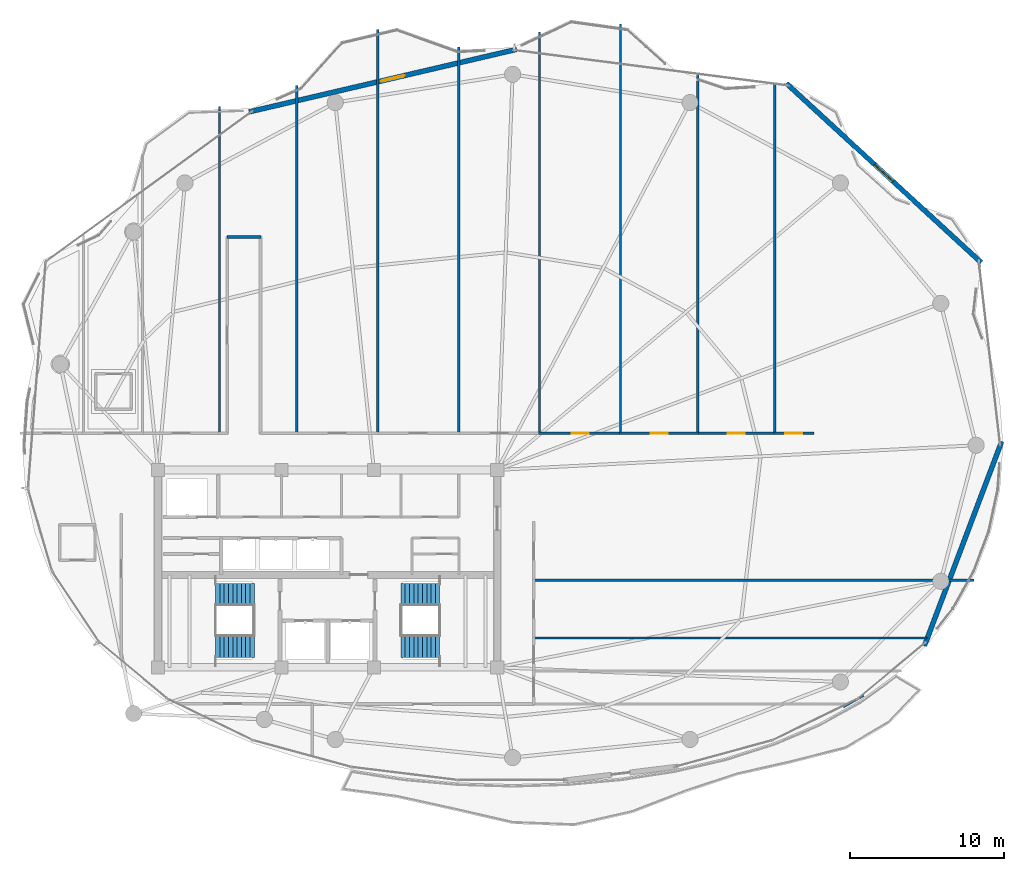
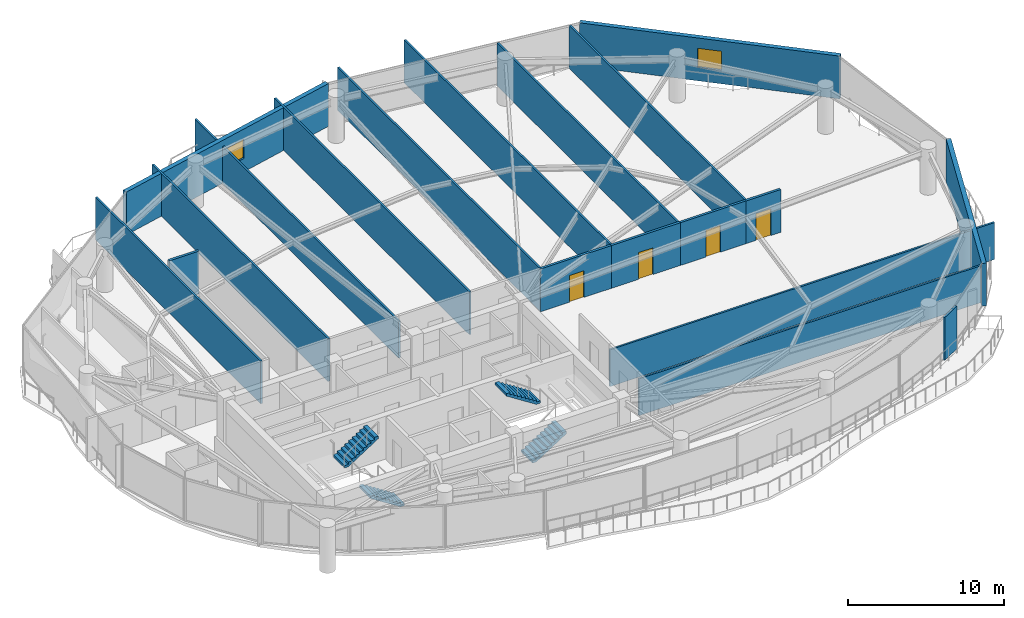
# One storey, part 27 of 31: 19 walls, 4 doors, 4 stair flights, 2 windows, 6 openings, 2 elements without a shape of their own.
"""IFC4 building model written with IfcOpenShell, lengths in metres."""

from ifc_helpers import new_model, si_unit, direction, frame, frame_2d, origin, place, context, subcontext, project, spatial, polyline, rectangle, outline, extrude, material, layer, layer_set, type_object, element, fill, aggregate, save


model = new_model("IFC4")

# Units and contexts
model_context = context("Model", 3, precision=1e-05, world=origin(), true_north=direction((0.0, 1.0)))
body_context = subcontext(model_context, "Body", "Model", "MODEL_VIEW")
ifc_project = project(units=[si_unit("LENGTHUNIT", "METRE"), si_unit("AREAUNIT", "SQUARE_METRE"), si_unit("VOLUMEUNIT", "CUBIC_METRE"), si_unit("PLANEANGLEUNIT", "RADIAN"), si_unit("MASSUNIT", "GRAM", prefix="KILO")], contexts=[model_context])

# Site, building, storey
site_placement = place(None, origin())
site = spatial("IfcSite", under=ifc_project, at=site_placement, CompositionType="ELEMENT")
building_placement = place(site_placement, origin())
building = spatial("IfcBuilding", under=site, at=building_placement, Name="Kazevale Care Tower and Concert Hall", CompositionType="ELEMENT")
storey_placement = place(building_placement, frame((0.0, 0.0, 202.800048828125)))
storey = spatial("IfcBuildingStorey", under=building, at=storey_placement, Name="L53", CompositionType="ELEMENT", Elevation=202.800048828125)

# Walls
ifc_material_1 = material(Name="Acoustic Gypsum on Steel Stud", Category="steel")
ifc_layer_1 = layer(ifc_material_1, 0.139892578125)
ifc_layer_set_1 = layer_set([ifc_layer_1], Name="Acoustic Gypsum on Steel Stud")
wall_type_1 = type_object("IfcWallType", Name="Acoustic Care & Suite Partition 140", PredefinedType="PARTITIONING", material=ifc_layer_set_1)
wall_1_placement = place(storey_placement, frame((26.0, 59.969970703125, 0.0), z_axis=(0.0, 0.0, 1.0), x_axis=(0.0, -1.0, 0.0)))
element("IfcWall", 1, at=wall_1_placement, inside=storey, type_object=wall_type_1, Name="wall:L53:auto_025", PredefinedType="PARTITIONING", context=body_context, shape_type="SweptSolid", body=[
    extrude(rectangle(XDim=21.224853515625, YDim=0.139892578125, at=frame_2d((10.6123046875, 0.0))), origin(), (0.0, 0.0, 1.0), 3.35986328125),
])
wall_2_placement = place(storey_placement, frame((31.0, 61.3369140625, 0.0), z_axis=(0.0, 0.0, 1.0), x_axis=(0.0, -1.0, 0.0)))
element("IfcWall", 2, at=wall_2_placement, inside=storey, type_object=wall_type_1, Name="wall:L53:auto_026", PredefinedType="PARTITIONING", context=body_context, shape_type="SweptSolid", body=[
    extrude(rectangle(XDim=22.591796875, YDim=0.139892578125, at=frame_2d((11.2958984375, 0.0))), origin(), (0.0, 0.0, 1.0), 3.35986328125),
])
wall_3_placement = place(storey_placement, frame((36.25, 64.9560546875, 0.0), z_axis=(0.0, 0.0, 1.0), x_axis=(0.0, -1.0, 0.0)))
element("IfcWall", 3, at=wall_3_placement, inside=storey, type_object=wall_type_1, Name="wall:L53:auto_027", PredefinedType="PARTITIONING", context=body_context, shape_type="SweptSolid", body=[
    extrude(rectangle(XDim=26.2109375, YDim=0.139892578125, at=frame_2d((13.10546875, 0.0))), origin(), (0.0, 0.0, 1.0), 2.889892578125),
])
wall_4_placement = place(storey_placement, frame((41.5, 63.840087890625, 0.0), z_axis=(0.0, 0.0, 1.0), x_axis=(0.0, -1.0, 0.0)))
element("IfcWall", 4, at=wall_4_placement, inside=storey, type_object=wall_type_1, Name="wall:L53:auto_028", PredefinedType="PARTITIONING", context=body_context, shape_type="SweptSolid", body=[
    extrude(rectangle(XDim=25.094970703125, YDim=0.139892578125, at=frame_2d((12.54736328125, 0.0))), origin(), (0.0, 0.0, 1.0), 3.35986328125),
])
wall_5_placement = place(storey_placement, frame((46.75, 64.802978515625, 0.0), z_axis=(0.0, 0.0, 1.0), x_axis=(0.0, -1.0, 0.0)))
element("IfcWall", 5, at=wall_5_placement, inside=storey, type_object=wall_type_1, Name="wall:L53:auto_029", PredefinedType="PARTITIONING", context=body_context, shape_type="SweptSolid", body=[
    extrude(rectangle(XDim=26.057861328125, YDim=0.139892578125, at=frame_2d((13.02880859375, 0.0))), origin(), (0.0, 0.0, 1.0), 3.35986328125),
])
wall_6_placement = place(storey_placement, frame((52.0, 65.323974609375, 0.0), z_axis=(0.0, 0.0, 1.0), x_axis=(0.0, -1.0, 0.0)))
element("IfcWall", 6, at=wall_6_placement, inside=storey, type_object=wall_type_1, Name="wall:L53:auto_030", PredefinedType="PARTITIONING", context=body_context, shape_type="SweptSolid", body=[
    extrude(rectangle(XDim=26.578857421875, YDim=0.139892578125, at=frame_2d((13.28955078125, 0.0))), origin(), (0.0, 0.0, 1.0), 3.35986328125),
])
wall_7_placement = place(storey_placement, frame((57.0, 62.0390625, 0.0), z_axis=(0.0, 0.0, 1.0), x_axis=(0.0, -1.0, 0.0)))
element("IfcWall", 7, at=wall_7_placement, inside=storey, type_object=wall_type_1, Name="wall:L53:auto_031", PredefinedType="PARTITIONING", context=body_context, shape_type="SweptSolid", body=[
    extrude(rectangle(XDim=23.2939453125, YDim=0.139892578125, at=frame_2d((11.64697265625, 0.0))), origin(), (0.0, 0.0, 1.0), 3.35986328125),
])
wall_8_placement = place(storey_placement, frame((62.0, 61.421875, 0.0), z_axis=(0.0, 0.0, 1.0), x_axis=(0.0, -1.0, 0.0)))
element("IfcWall", 8, at=wall_8_placement, inside=storey, type_object=wall_type_1, Name="wall:L53:auto_032", PredefinedType="PARTITIONING", context=body_context, shape_type="SweptSolid", body=[
    extrude(rectangle(XDim=22.6767578125, YDim=0.139892578125, at=frame_2d((11.33837890625, 0.0))), origin(), (0.0, 0.0, 1.0), 3.35986328125),
])
wall_9_placement = place(storey_placement, frame((67.748046875, 21.77001953125, 0.0), z_axis=(0.0, 0.0, 1.0), x_axis=(-0.871352238731, -0.490658003153, 0.0)))
element("IfcWall", 9, at=wall_9_placement, inside=storey, type_object=wall_type_1, Name="wall:L53:auto_035", PredefinedType="PARTITIONING", context=body_context, shape_type="SweptSolid", body=[
    extrude(rectangle(XDim=1.48974609375, YDim=0.139892578125, at=frame_2d((0.744873046875, 0.0))), origin(), (0.0, 0.0, 1.0), 3.35986328125),
])
wall_10_placement = place(storey_placement, frame((46.344970703125, 25.5, 0.0), z_axis=(0.0, 0.0, 1.0), x_axis=(1.0, 0.0, 0.0)))
element("IfcWall", 10, at=wall_10_placement, inside=storey, type_object=wall_type_1, Name="wall:L53:auto_036", PredefinedType="PARTITIONING", context=body_context, shape_type="SweptSolid", body=[
    extrude(rectangle(XDim=25.5390625, YDim=0.139892578125, at=frame_2d((12.76953125, 0.0))), origin(), (0.0, 0.0, 1.0), 2.889892578125),
])
wall_11_placement = place(storey_placement, frame((46.344970703125, 29.25, 0.0), z_axis=(0.0, 0.0, 1.0), x_axis=(1.0, 0.0, 0.0)))
element("IfcWall", 11, at=wall_11_placement, inside=storey, type_object=wall_type_1, Name="wall:L53:auto_037", PredefinedType="PARTITIONING", context=body_context, shape_type="SweptSolid", body=[
    extrude(rectangle(XDim=28.56591796875, YDim=0.139892578125, at=frame_2d((14.282958984375, 0.0))), origin(), (0.0, 0.0, 1.0), 2.889892578125),
])
ifc_material_2 = material(Name="Concrete C40 and Acoustic Gypsum", Category="concrete")
ifc_layer_2 = layer(ifc_material_2, 0.179931640625)
ifc_layer_set_2 = layer_set([ifc_layer_2], Name="Concrete C40 and Acoustic Gypsum")
wall_type_2 = type_object("IfcWallType", Name="Fire-Rated Corridor & Party Wall 180", PredefinedType="PARTITIONING", material=ifc_layer_set_2)
wall_12_placement = place(storey_placement, frame((26.469970703125, 51.5, 0.0), z_axis=(0.0, 0.0, 1.0), x_axis=(1.0, 0.0, 0.0)))
element("IfcWall", 12, at=wall_12_placement, inside=storey, type_object=wall_type_2, Name="wall:L53:auto_007", PredefinedType="PARTITIONING", context=body_context, shape_type="SweptSolid", body=[
    extrude(rectangle(XDim=2.2099609375, YDim=0.179931640625, at=frame_2d((1.10498046875, 0.0))), origin(), (0.0, 0.0, 1.0), 3.35986328125),
])

# Wall, opening, door
wall_13_placement = place(storey_placement, frame((46.68505859375, 38.77490234375, 0.0), z_axis=(0.0, 0.0, 1.0), x_axis=(1.0, 0.0, 0.0)))
wall_13 = element("IfcWall", 13, at=wall_13_placement, inside=storey, type_object=wall_type_2, Name="wall:L53:auto_012", PredefinedType="PARTITIONING", context=body_context, shape_type="SweptSolid", body=[
    extrude(rectangle(XDim=5.3798828125, YDim=0.179931640625, at=frame_2d((2.68994140625, 0.0))), origin(), (0.0, 0.0, 1.0), 3.35986328125),
])
opening_1_placement = place(wall_13_placement, frame((2.139892578125, 0.0, 0.0)))
opening_1 = element("IfcOpeningElement", 14, at=opening_1_placement, cuts=wall_13, Name="Opening ID-1100", PredefinedType="OPENING", context=body_context, shape_type="SweptSolid", body=[
    extrude(rectangle(XDim=1.10009765625, YDim=2.10009765625, at=frame_2d((0.550048828125, 1.050048828125))), frame((0.0, 0.099853515625, 0.0), z_axis=(0.0, -1.0, 0.0), x_axis=(1.0, 0.0, 0.0)), (0.0, 0.0, 1.0), 0.199951171875),
])
ifc_material_3 = material(Name="Oak Timber Fire Leaf", Category="wood")
door_type = type_object("IfcDoorType", Name="Care Bedroom Accessible Door 1100x2100", OperationType="NOTDEFINED", PredefinedType="DOOR", material=ifc_material_3)
door_1_placement = place(opening_1_placement, origin())
door_1 = element("IfcDoor", 15, at=door_1_placement, inside=storey, type_object=door_type, Name="door:L53:ad_012", OperationType="SINGLE_SWING_LEFT", OverallHeight=2.10009765625, OverallWidth=1.10009765625, PredefinedType="DOOR", context=body_context, shape_type="SweptSolid", body=[
    extrude(rectangle(XDim=1.10009765625, YDim=2.10009765625, at=frame_2d((0.550048828125, 1.050048828125))), frame((0.0, 0.02490234375, 0.0), z_axis=(0.0, -1.0, 0.0), x_axis=(1.0, 0.0, 0.0)), (0.0, 0.0, 1.0), 0.050048828125),
])
fill(opening_1, door_1)

wall_14_placement = place(storey_placement, frame((51.93505859375, 38.77490234375, 0.0), z_axis=(0.0, 0.0, 1.0), x_axis=(1.0, 0.0, 0.0)))
wall_14 = element("IfcWall", 16, at=wall_14_placement, inside=storey, type_object=wall_type_2, Name="wall:L53:auto_013", PredefinedType="PARTITIONING", context=body_context, shape_type="SweptSolid", body=[
    extrude(rectangle(XDim=5.1298828125, YDim=0.179931640625, at=frame_2d((2.56494140625, 0.0))), origin(), (0.0, 0.0, 1.0), 3.35986328125),
])
opening_2_placement = place(wall_14_placement, frame((2.014892578125, 0.0, 0.0)))
opening_2 = element("IfcOpeningElement", 17, at=opening_2_placement, cuts=wall_14, Name="Opening ID-1100", PredefinedType="OPENING", context=body_context, shape_type="SweptSolid", body=[
    extrude(rectangle(XDim=1.10009765625, YDim=2.10009765625, at=frame_2d((0.550048828125, 1.050048828125))), frame((0.0, 0.099853515625, 0.0), z_axis=(0.0, -1.0, 0.0), x_axis=(1.0, 0.0, 0.0)), (0.0, 0.0, 1.0), 0.199951171875),
])
door_2_placement = place(opening_2_placement, origin())
door_2 = element("IfcDoor", 18, at=door_2_placement, inside=storey, type_object=door_type, Name="door:L53:ad_013", OperationType="SINGLE_SWING_LEFT", OverallHeight=2.10009765625, OverallWidth=1.10009765625, PredefinedType="DOOR", context=body_context, shape_type="SweptSolid", body=[
    extrude(rectangle(XDim=1.10009765625, YDim=2.10009765625, at=frame_2d((0.550048828125, 1.050048828125))), frame((0.0, 0.02490234375, 0.0), z_axis=(0.0, -1.0, 0.0), x_axis=(1.0, 0.0, 0.0)), (0.0, 0.0, 1.0), 0.050048828125),
])
fill(opening_2, door_2)

wall_15_placement = place(storey_placement, frame((56.93505859375, 38.77490234375, 0.0), z_axis=(0.0, 0.0, 1.0), x_axis=(1.0, 0.0, 0.0)))
wall_15 = element("IfcWall", 19, at=wall_15_placement, inside=storey, type_object=wall_type_2, Name="wall:L53:auto_014", PredefinedType="PARTITIONING", context=body_context, shape_type="SweptSolid", body=[
    extrude(rectangle(XDim=5.1298828125, YDim=0.179931640625, at=frame_2d((2.56494140625, 0.0))), origin(), (0.0, 0.0, 1.0), 3.35986328125),
])
opening_3_placement = place(wall_15_placement, frame((2.014892578125, 0.0, 0.0)))
opening_3 = element("IfcOpeningElement", 20, at=opening_3_placement, cuts=wall_15, Name="Opening ID-1100", PredefinedType="OPENING", context=body_context, shape_type="SweptSolid", body=[
    extrude(rectangle(XDim=1.10009765625, YDim=2.10009765625, at=frame_2d((0.550048828125, 1.050048828125))), frame((0.0, 0.099853515625, 0.0), z_axis=(0.0, -1.0, 0.0), x_axis=(1.0, 0.0, 0.0)), (0.0, 0.0, 1.0), 0.199951171875),
])
door_3_placement = place(opening_3_placement, origin())
door_3 = element("IfcDoor", 21, at=door_3_placement, inside=storey, type_object=door_type, Name="door:L53:ad_014", OperationType="SINGLE_SWING_LEFT", OverallHeight=2.10009765625, OverallWidth=1.10009765625, PredefinedType="DOOR", context=body_context, shape_type="SweptSolid", body=[
    extrude(rectangle(XDim=1.10009765625, YDim=2.10009765625, at=frame_2d((0.550048828125, 1.050048828125))), frame((0.0, 0.02490234375, 0.0), z_axis=(0.0, -1.0, 0.0), x_axis=(1.0, 0.0, 0.0)), (0.0, 0.0, 1.0), 0.050048828125),
])
fill(opening_3, door_3)

wall_16_placement = place(storey_placement, frame((61.93505859375, 38.77490234375, 0.0), z_axis=(0.0, 0.0, 1.0), x_axis=(1.0, 0.0, 0.0)))
wall_16 = element("IfcWall", 22, at=wall_16_placement, inside=storey, type_object=wall_type_2, Name="wall:L53:auto_015", PredefinedType="PARTITIONING", context=body_context, shape_type="SweptSolid", body=[
    extrude(rectangle(XDim=2.594970703125, YDim=0.179931640625, at=frame_2d((1.29736328125, 0.0))), origin(), (0.0, 0.0, 1.0), 3.35986328125),
])
opening_4_placement = place(wall_16_placement, frame((0.748046875, 0.0, 0.0)))
opening_4 = element("IfcOpeningElement", 23, at=opening_4_placement, cuts=wall_16, Name="Opening ID-1100", PredefinedType="OPENING", context=body_context, shape_type="SweptSolid", body=[
    extrude(rectangle(XDim=1.10009765625, YDim=2.10009765625, at=frame_2d((0.550048828125, 1.050048828125))), frame((0.0, 0.099853515625, 0.0), z_axis=(0.0, -1.0, 0.0), x_axis=(1.0, 0.0, 0.0)), (0.0, 0.0, 1.0), 0.199951171875),
])
door_4_placement = place(opening_4_placement, origin())
door_4 = element("IfcDoor", 24, at=door_4_placement, inside=storey, type_object=door_type, Name="door:L53:ad_015", OperationType="SINGLE_SWING_LEFT", OverallHeight=2.10009765625, OverallWidth=1.10009765625, PredefinedType="DOOR", context=body_context, shape_type="SweptSolid", body=[
    extrude(rectangle(XDim=1.10009765625, YDim=2.10009765625, at=frame_2d((0.550048828125, 1.050048828125))), frame((0.0, 0.02490234375, 0.0), z_axis=(0.0, -1.0, 0.0), x_axis=(1.0, 0.0, 0.0)), (0.0, 0.0, 1.0), 0.050048828125),
])
fill(opening_4, door_4)

# Wall
ifc_material_4 = material(Name="Concrete C40 with Honed Limestone Cladding", Category="masonry")
ifc_layer_3 = layer(ifc_material_4, 0.320068359375)
ifc_layer_set_3 = layer_set([ifc_layer_3], Name="Concrete C40 with Honed Limestone Cladding")
wall_type_3 = type_object("IfcWallType", Name="Tower Honed Limestone Spandrel Wall 320", PredefinedType="STANDARD", material=ifc_layer_set_3)
wall_17_placement = place(storey_placement, frame((76.7119140625, 38.242919921875, 0.0), z_axis=(0.0, 0.0, 1.0), x_axis=(-0.353659523244, -0.935374225441, 0.0)))
element("IfcWall", 25, at=wall_17_placement, inside=storey, type_object=wall_type_3, Name="wall:cw:L53:f01", PredefinedType="STANDARD", context=body_context, shape_type="SweptSolid", body=[
    extrude(rectangle(XDim=14.171630859375, YDim=0.320068359375, at=frame_2d((7.0859375, 0.0))), origin(), (0.0, 0.0, 1.0), 3.35986328125),
])

# Wall, opening, window
wall_18_placement = place(storey_placement, frame((27.908935546875, 59.616943359375, 0.0), z_axis=(0.0, 0.0, 1.0), x_axis=(0.973753606594, 0.227604731158, 0.0)))
wall_18 = element("IfcWall", 26, at=wall_18_placement, inside=storey, type_object=wall_type_3, Name="wall:L53:cbox:15", PredefinedType="STANDARD", context=body_context, shape_type="SweptSolid", body=[
    extrude(rectangle(XDim=17.816650390625, YDim=0.320068359375, at=frame_2d((8.908203125, 0.0))), origin(), (0.0, 0.0, 1.0), 3.35986328125),
])
opening_5_placement = place(wall_18_placement, frame((8.76904296875, 0.0, 1.050048828125)))
opening_5 = element("IfcOpeningElement", 27, at=opening_5_placement, cuts=wall_18, Name="Opening WIN-1", PredefinedType="OPENING", context=body_context, shape_type="SweptSolid", body=[
    extrude(rectangle(XDim=1.60009765625, YDim=1.5, at=frame_2d((0.800048828125, 0.75))), frame((0.0, 0.169921875, 0.0), z_axis=(0.0, -1.0, 0.0), x_axis=(1.0, 0.0, 0.0)), (0.0, 0.0, 1.0), 0.340087890625),
])
ifc_material_5 = material(Name="Low-E Laminated Glass", Category="glass")
window_type = type_object("IfcWindowType", Name="Convex Box Deep-Set Window 1600x1500", PartitioningType="DOUBLE_PANEL_VERTICAL", PredefinedType="WINDOW", material=ifc_material_5)
window_1_placement = place(opening_5_placement, origin())
window_1 = element("IfcWindow", 28, at=window_1_placement, inside=storey, type_object=window_type, Name="win:L53:cbox:15", OverallHeight=1.5, OverallWidth=1.60009765625, PartitioningType="SINGLE_PANEL", PredefinedType="WINDOW", context=body_context, shape_type="SweptSolid", body=[
    extrude(rectangle(XDim=1.60009765625, YDim=1.5, at=frame_2d((0.800048828125, 0.75))), frame((0.0, 0.030029296875, 0.0), z_axis=(0.0, -1.0, 0.0), x_axis=(1.0, 0.0, 0.0)), (0.0, 0.0, 1.0), 0.06005859375),
])
fill(opening_5, window_1)

wall_19_placement = place(storey_placement, frame((62.7509765625, 61.462890625, 0.0), z_axis=(0.0, 0.0, 1.0), x_axis=(0.736063690764, -0.676912286149, 0.0)))
wall_19 = element("IfcWall", 29, at=wall_19_placement, inside=storey, type_object=wall_type_3, Name="wall:L53:cbox:17", PredefinedType="STANDARD", context=body_context, shape_type="SweptSolid", body=[
    extrude(rectangle(XDim=17.16162109375, YDim=0.320068359375, at=frame_2d((8.580810546875, 0.0))), origin(), (0.0, 0.0, 1.0), 3.35986328125),
])
opening_6_placement = place(wall_19_placement, frame((7.781005859375, 0.0, 1.050048828125)))
opening_6 = element("IfcOpeningElement", 30, at=opening_6_placement, cuts=wall_19, Name="Opening WIN-1", PredefinedType="OPENING", context=body_context, shape_type="SweptSolid", body=[
    extrude(rectangle(XDim=1.60009765625, YDim=1.5, at=frame_2d((0.800048828125, 0.75))), frame((0.0, 0.169921875, 0.0), z_axis=(0.0, -1.0, 0.0), x_axis=(1.0, 0.0, 0.0)), (0.0, 0.0, 1.0), 0.340087890625),
])
window_2_placement = place(opening_6_placement, origin())
window_2 = element("IfcWindow", 31, at=window_2_placement, inside=storey, type_object=window_type, Name="win:L53:cbox:17", OverallHeight=1.5, OverallWidth=1.60009765625, PartitioningType="SINGLE_PANEL", PredefinedType="WINDOW", context=body_context, shape_type="SweptSolid", body=[
    extrude(rectangle(XDim=1.60009765625, YDim=1.5, at=frame_2d((0.800048828125, 0.75))), frame((0.0, 0.030029296875, 0.0), z_axis=(0.0, -1.0, 0.0), x_axis=(1.0, 0.0, 0.0)), (0.0, 0.0, 1.0), 0.06005859375),
])
fill(opening_6, window_2)

# Stair, stair flights
ifc_material_6 = material(Name="Concrete C40", Category="concrete")
stair_type = type_object("IfcStairType", Name="Exit Stair Assembly ST1-Z3", PredefinedType="HALF_TURN_STAIR", material=ifc_material_6)
stair_1_placement = place(storey_placement, origin())
stair_1 = element("IfcStair", 32, at=stair_1_placement, inside=storey, type_object=stair_type, Name="stair:L53:ST1", PredefinedType="HALF_TURN_STAIR")
ifc_layer_4 = layer(ifc_material_6, 0.159912109375)
ifc_layer_set_4 = layer_set([ifc_layer_4], Name="Concrete C40")
stair_flight_type = type_object("IfcStairFlightType", Name="Exit Stair Flight ST1-Z3", PredefinedType="STRAIGHT", material=ifc_layer_set_4)
stair_flight_1_placement = place(storey_placement, frame((28.25, 24.97509765625, 0.0), z_axis=(0.0, 0.0, 1.0), x_axis=(-1.0, 0.0, 0.0)))
stair_flight_1 = element("IfcStairFlight", 33, at=stair_flight_1_placement, type_object=stair_flight_type, Name="ST1-Z3 flight 1", NumberOfRisers=10, NumberOfTreads=9, PredefinedType="STRAIGHT", RiserHeight=0.18, TreadLength=0.28, context=body_context, shape_type="SweptSolid", body=[
    extrude(outline(polyline([(0.0, 0.0), (0.0, 0.179931640625), (0.280029296875, 0.179931640625), (0.280029296875, 0.360107421875), (0.56005859375, 0.360107421875), (0.56005859375, 0.5400390625), (0.840087890625, 0.5400390625), (0.840087890625, 0.719970703125), (1.1201171875, 0.719970703125), (1.1201171875, 0.89990234375), (1.39990234375, 0.89990234375), (1.39990234375, 1.080078125), (1.679931640625, 1.080078125), (1.679931640625, 1.260009765625), (1.9599609375, 1.260009765625), (1.9599609375, 1.43994140625), (2.239990234375, 1.43994140625), (2.239990234375, 1.6201171875), (2.52001953125, 1.6201171875), (2.52001953125, 1.800048828125), (2.52001953125, 1.429931640625), (0.295654296875, 0.0), (0.0, 0.0)])), frame((0.0, 0.72509765625, 0.0), z_axis=(0.0, -1.0, 0.0), x_axis=(1.0, 0.0, 0.0)), (0.0, 0.0, 1.0), 1.449951171875),
])
stair_flight_2_placement = place(storey_placement, frame((25.72998046875, 28.324951171875, 1.800048828125), z_axis=(0.0, 0.0, 1.0), x_axis=(1.0, 0.0, 0.0)))
stair_flight_2 = element("IfcStairFlight", 34, at=stair_flight_2_placement, type_object=stair_flight_type, Name="ST1-Z3 flight 2", NumberOfRisers=10, NumberOfTreads=9, PredefinedType="STRAIGHT", RiserHeight=0.18, TreadLength=0.28, context=body_context, shape_type="SweptSolid", body=[
    extrude(outline(polyline([(0.0, 0.0), (0.0, 0.179931640625), (0.280029296875, 0.179931640625), (0.280029296875, 0.360107421875), (0.56005859375, 0.360107421875), (0.56005859375, 0.5400390625), (0.840087890625, 0.5400390625), (0.840087890625, 0.719970703125), (1.1201171875, 0.719970703125), (1.1201171875, 0.89990234375), (1.39990234375, 0.89990234375), (1.39990234375, 1.080078125), (1.679931640625, 1.080078125), (1.679931640625, 1.260009765625), (1.9599609375, 1.260009765625), (1.9599609375, 1.43994140625), (2.239990234375, 1.43994140625), (2.239990234375, 1.6201171875), (2.52001953125, 1.6201171875), (2.52001953125, 1.800048828125), (2.52001953125, 1.429931640625), (0.295654296875, 0.0), (0.0, 0.0)])), frame((0.0, 0.72509765625, 0.0), z_axis=(0.0, -1.0, 0.0), x_axis=(1.0, 0.0, 0.0)), (0.0, 0.0, 1.0), 1.449951171875),
])
aggregate(stair_1, [stair_flight_1, stair_flight_2])

stair_2_placement = place(storey_placement, origin())
stair_2 = element("IfcStair", 35, at=stair_2_placement, inside=storey, type_object=stair_type, Name="stair:L53:ST2", PredefinedType="HALF_TURN_STAIR")
stair_flight_3_placement = place(storey_placement, frame((37.75, 24.97509765625, 0.0), z_axis=(0.0, 0.0, 1.0), x_axis=(1.0, 0.0, 0.0)))
stair_flight_3 = element("IfcStairFlight", 36, at=stair_flight_3_placement, type_object=stair_flight_type, Name="ST1-Z3 flight 1", NumberOfRisers=10, NumberOfTreads=9, PredefinedType="STRAIGHT", RiserHeight=0.18, TreadLength=0.28, context=body_context, shape_type="SweptSolid", body=[
    extrude(outline(polyline([(0.0, 0.0), (0.0, 0.179931640625), (0.280029296875, 0.179931640625), (0.280029296875, 0.360107421875), (0.56005859375, 0.360107421875), (0.56005859375, 0.5400390625), (0.840087890625, 0.5400390625), (0.840087890625, 0.719970703125), (1.1201171875, 0.719970703125), (1.1201171875, 0.89990234375), (1.39990234375, 0.89990234375), (1.39990234375, 1.080078125), (1.679931640625, 1.080078125), (1.679931640625, 1.260009765625), (1.9599609375, 1.260009765625), (1.9599609375, 1.43994140625), (2.239990234375, 1.43994140625), (2.239990234375, 1.6201171875), (2.52001953125, 1.6201171875), (2.52001953125, 1.800048828125), (2.52001953125, 1.429931640625), (0.295654296875, 0.0), (0.0, 0.0)])), frame((0.0, 0.72509765625, 0.0), z_axis=(0.0, -1.0, 0.0), x_axis=(1.0, 0.0, 0.0)), (0.0, 0.0, 1.0), 1.449951171875),
])
stair_flight_4_placement = place(storey_placement, frame((40.27001953125, 28.324951171875, 1.800048828125), z_axis=(0.0, 0.0, 1.0), x_axis=(-1.0, 0.0, 0.0)))
stair_flight_4 = element("IfcStairFlight", 37, at=stair_flight_4_placement, type_object=stair_flight_type, Name="ST1-Z3 flight 2", NumberOfRisers=10, NumberOfTreads=9, PredefinedType="STRAIGHT", RiserHeight=0.18, TreadLength=0.28, context=body_context, shape_type="SweptSolid", body=[
    extrude(outline(polyline([(0.0, 0.0), (0.0, 0.179931640625), (0.280029296875, 0.179931640625), (0.280029296875, 0.360107421875), (0.56005859375, 0.360107421875), (0.56005859375, 0.5400390625), (0.840087890625, 0.5400390625), (0.840087890625, 0.719970703125), (1.1201171875, 0.719970703125), (1.1201171875, 0.89990234375), (1.39990234375, 0.89990234375), (1.39990234375, 1.080078125), (1.679931640625, 1.080078125), (1.679931640625, 1.260009765625), (1.9599609375, 1.260009765625), (1.9599609375, 1.43994140625), (2.239990234375, 1.43994140625), (2.239990234375, 1.6201171875), (2.52001953125, 1.6201171875), (2.52001953125, 1.800048828125), (2.52001953125, 1.429931640625), (0.295654296875, 0.0), (0.0, 0.0)])), frame((0.0, 0.72509765625, 0.0), z_axis=(0.0, -1.0, 0.0), x_axis=(1.0, 0.0, 0.0)), (0.0, 0.0, 1.0), 1.449951171875),
])
aggregate(stair_2, [stair_flight_3, stair_flight_4])

save(model, "model.ifc")
